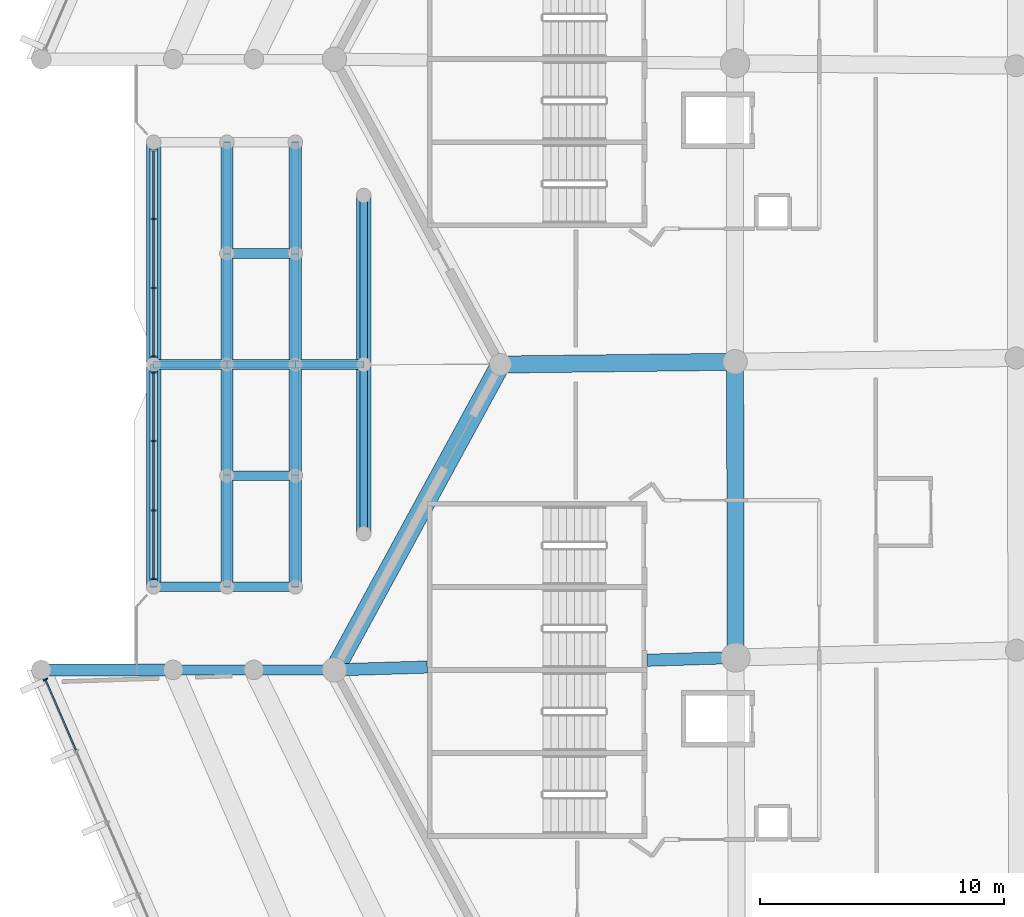
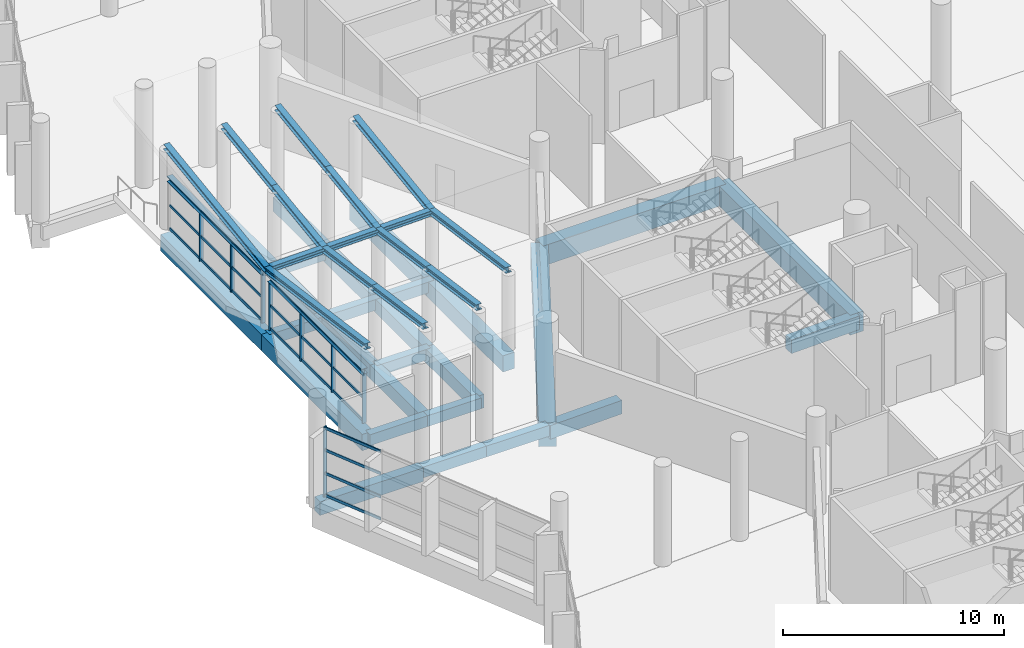
# One storey, part 35 of 271: 44 beams, 30 members, 3 elements without a shape of their own.
"""IFC4 building model written with IfcOpenShell, lengths in metres."""

from ifc_helpers import new_model, si_unit, direction, frame, origin, origin_2d, place, context, subcontext, project, spatial, rectangle, i_section, extrude, material, layer, layer_set, material_profile, profile_set, type_object, element, aggregate, save


model = new_model("IFC4")

# Units and contexts
model_context = context("Model", 3, precision=1e-05, world=origin(), true_north=direction((0.0, 1.0)))
body_context = subcontext(model_context, "Body", "Model", "MODEL_VIEW")
ifc_project = project(units=[si_unit("LENGTHUNIT", "METRE"), si_unit("AREAUNIT", "SQUARE_METRE"), si_unit("VOLUMEUNIT", "CUBIC_METRE"), si_unit("PLANEANGLEUNIT", "RADIAN"), si_unit("MASSUNIT", "GRAM", prefix="KILO")], contexts=[model_context])

# Site, building, storey
site_placement = place(None, origin())
site = spatial("IfcSite", under=ifc_project, at=site_placement, CompositionType="ELEMENT")
building_placement = place(site_placement, origin())
building = spatial("IfcBuilding", under=site, at=building_placement, Name="Meseta Stadium", CompositionType="ELEMENT")
storey_placement = place(building_placement, frame((0.0, 0.0, 6.5)))
storey = spatial("IfcBuildingStorey", under=building, at=storey_placement, Name="L01", CompositionType="ELEMENT", Elevation=6.5)

# Beams
ifc_material_1 = material(Name="Steel S355", Category="steel")
ifc_material_profile_1 = material_profile(ifc_material_1, i_section(OverallWidth=0.300048828125, OverallDepth=0.300048828125, WebThickness=0.010986328125, FlangeThickness=0.01904296875, FilletRadius=0.027099609375, at=origin_2d()), Name="HEB 300")
ifc_profile_set_1 = profile_set([ifc_material_profile_1], Name="Steel S355")
beam_type_1 = type_object("IfcBeamType", Name="Gate roof beam HEB 300", PredefinedType="BEAM", material=ifc_profile_set_1)
for number, where, z_axis, x_axis, name in (
    (1, (-100.199951171875, -6.25, 3.327880859375), (-0.999800721691, 0.0, -0.019962888244), (0.0, -1.0, 0.0), "Gate 5 valley beam"),
    (2, (-103.0, -6.25, 3.27197265625), (-0.999800721691, 0.0, -0.019962888244), (0.0, -1.0, 0.0), "Gate 5 valley beam"),
):
    element("IfcBeam", number, at=place(storey_placement, frame(where, z_axis=z_axis, x_axis=x_axis)), inside=storey, type_object=beam_type_1, Name=name, PredefinedType="BEAM", context=body_context, shape_type="SweptSolid", body=[
        extrude(i_section(OverallWidth=0.300048828125, OverallDepth=0.300048828125, WebThickness=0.010986328125, FlangeThickness=0.01904296875, FilletRadius=0.027099609375, at=origin_2d()), origin(), (0.0, 0.0, 1.0), 2.800537109375),
    ])
beam_1_placement = place(storey_placement, frame((-105.800048828125, -6.25, 3.216064453125), z_axis=(-0.999799669399, 0.0, -0.020015520725), x_axis=(0.0, -1.0, 0.0)))
element("IfcBeam", 3, at=beam_1_placement, inside=storey, type_object=beam_type_1, Name="Gate 5 valley beam", PredefinedType="BEAM", context=body_context, shape_type="SweptSolid", body=[
    extrude(i_section(OverallWidth=0.300048828125, OverallDepth=0.300048828125, WebThickness=0.010986328125, FlangeThickness=0.01904296875, FilletRadius=0.027099609375, at=origin_2d()), origin(), (0.0, 0.0, 1.0), 3.00048828125),
])
for number, where, z_axis, x_axis, name in (
    (4, (-108.800048828125, 2.550048828125, 2.845947265625), (0.0, -1.0, 0.0), (1.0, 0.0, 0.0), "Gate 5 head beam"),
    (5, (-108.800048828125, -6.550048828125, 2.845947265625), (0.0, -1.0, 0.0), (1.0, 0.0, 0.0), "Gate 5 head beam"),
):
    element("IfcBeam", number, at=place(storey_placement, frame(where, z_axis=z_axis, x_axis=x_axis)), inside=storey, type_object=beam_type_1, Name=name, PredefinedType="BEAM", context=body_context, shape_type="SweptSolid", body=[
        extrude(i_section(OverallWidth=0.300048828125, OverallDepth=0.300048828125, WebThickness=0.010986328125, FlangeThickness=0.01904296875, FilletRadius=0.027099609375, at=origin_2d()), origin(), (0.0, 0.0, 1.0), 8.5),
    ])
ifc_material_2 = material(Name="Steel S355", Category="steel")
ifc_material_profile_2 = material_profile(ifc_material_2, i_section(OverallWidth=0.300048828125, OverallDepth=0.300048828125, WebThickness=0.010986328125, FlangeThickness=0.01904296875, FilletRadius=0.027099609375, at=origin_2d()), Name="HEB 300")
ifc_profile_set_2 = profile_set([ifc_material_profile_2], Name="Steel S355")
beam_type_2 = type_object("IfcBeamType", Name="Gate roof beam HEB 300 rafter", PredefinedType="BEAM", material=ifc_profile_set_2)
for number, where, z_axis, x_axis, name in (
    (6, (-100.199951171875, 0.66748046875, 4.29638671875), (0.0, -0.990340594816, -0.138656071844), (1.0, 0.0, 0.0), "Gate 5 roof rafter"),
    (7, (-100.199951171875, -6.25, 3.327880859375), (0.0, -0.990340594816, 0.138656071844), (1.0, 0.0, 0.0), "Gate 5 roof rafter"),
):
    element("IfcBeam", number, at=place(storey_placement, frame(where, z_axis=z_axis, x_axis=x_axis)), inside=storey, type_object=beam_type_2, Name=name, PredefinedType="BEAM", context=body_context, shape_type="SweptSolid", body=[
        extrude(i_section(OverallWidth=0.300048828125, OverallDepth=0.300048828125, WebThickness=0.010986328125, FlangeThickness=0.01904296875, FilletRadius=0.027099609375, at=origin_2d()), origin(), (0.0, 0.0, 1.0), 6.98486328125),
    ])
for number, where, z_axis, x_axis, name in (
    (8, (-103.0, 2.85009765625, 4.5458984375), (0.0, -0.99034305998, -0.138638463459), (1.0, 0.0, 0.0), "Gate 5 roof rafter"),
    (9, (-103.0, -1.699951171875, 3.908935546875), (0.0, -0.99034305998, -0.138638463459), (1.0, 0.0, 0.0), "Gate 5 roof rafter"),
    (10, (-103.0, -6.25, 3.27197265625), (0.0, -0.99034305998, 0.138638463459), (1.0, 0.0, 0.0), "Gate 5 roof rafter"),
    (11, (-103.0, -10.800048828125, 3.908935546875), (0.0, -0.99034305998, 0.138638463459), (1.0, 0.0, 0.0), "Gate 5 roof rafter"),
    (12, (-105.800048828125, 2.85009765625, 4.489990234375), (0.0, -0.99034305998, -0.138638463459), (1.0, 0.0, 0.0), "Gate 5 roof rafter"),
    (13, (-105.800048828125, -1.699951171875, 3.85302734375), (0.0, -0.99034305998, -0.138638463459), (1.0, 0.0, 0.0), "Gate 5 roof rafter"),
    (14, (-105.800048828125, -6.25, 3.216064453125), (0.0, -0.99034305998, 0.138638463459), (1.0, 0.0, 0.0), "Gate 5 roof rafter"),
    (15, (-105.800048828125, -10.800048828125, 3.85302734375), (0.0, -0.99034305998, 0.138638463459), (1.0, 0.0, 0.0), "Gate 5 roof rafter"),
):
    element("IfcBeam", number, at=place(storey_placement, frame(where, z_axis=z_axis, x_axis=x_axis)), inside=storey, type_object=beam_type_2, Name=name, PredefinedType="BEAM", context=body_context, shape_type="SweptSolid", body=[
        extrude(i_section(OverallWidth=0.300048828125, OverallDepth=0.300048828125, WebThickness=0.010986328125, FlangeThickness=0.01904296875, FilletRadius=0.027099609375, at=origin_2d()), origin(), (0.0, 0.0, 1.0), 4.594482421875),
    ])
for number, where, z_axis, x_axis, name in (
    (16, (-108.800048828125, 2.85009765625, 4.429931640625), (0.0, -0.99034305998, -0.138638463459), (1.0, 0.0, 0.0), "Gate 5 roof rafter"),
    (17, (-108.800048828125, -6.25, 3.156005859375), (0.0, -0.99034305998, 0.138638463459), (1.0, 0.0, 0.0), "Gate 5 roof rafter"),
):
    element("IfcBeam", number, at=place(storey_placement, frame(where, z_axis=z_axis, x_axis=x_axis)), inside=storey, type_object=beam_type_2, Name=name, PredefinedType="BEAM", context=body_context, shape_type="SweptSolid", body=[
        extrude(i_section(OverallWidth=0.300048828125, OverallDepth=0.300048828125, WebThickness=0.010986328125, FlangeThickness=0.01904296875, FilletRadius=0.027099609375, at=origin_2d()), origin(), (0.0, 0.0, 1.0), 9.188720703125),
    ])
ifc_material_3 = material(Name="Concrete C40/50", Category="concrete")
ifc_material_profile_3 = material_profile(ifc_material_3, rectangle(XDim=0.39990234375, YDim=0.60009765625, at=origin_2d()), Name="RC 400x600")
ifc_profile_set_3 = profile_set([ifc_material_profile_3], Name="Concrete C40/50")
beam_type_3 = type_object("IfcBeamType", Name="RC beam 400x600", PredefinedType="BEAM", material=ifc_profile_set_3)
for number, where, z_axis, x_axis, name in (
    (18, (-101.39990234375, -18.75, -0.64990234375), (-1.0, 0.0, 0.0), (0.0, -1.0, 0.0), "L01 radial beam frame 34 line R to M"),
    (19, (-104.699951171875, -18.75, -0.64990234375), (-1.0, 0.0, 0.0), (0.0, -1.0, 0.0), "L01 radial beam frame 34 line M to Q"),
):
    element("IfcBeam", number, at=place(storey_placement, frame(where, z_axis=z_axis, x_axis=x_axis)), inside=storey, type_object=beam_type_3, Name=name, PredefinedType="BEAM", context=body_context, shape_type="SweptSolid", body=[
        extrude(rectangle(XDim=0.39990234375, YDim=0.60009765625, at=origin_2d()), origin(), (0.0, 0.0, 1.0), 3.300048828125),
    ])
for number, where, z_axis, x_axis, name in (
    (20, (-100.199951171875, -6.25, -0.64990234375), (-1.0, 0.0, 0.0), (0.0, -1.0, 0.0), "Gate 5 floor beam"),
    (21, (-103.0, -1.699951171875, -0.64990234375), (-1.0, 0.0, 0.0), (0.0, -1.0, 0.0), "Gate 5 floor beam"),
    (22, (-103.0, -6.25, -0.64990234375), (-1.0, 0.0, 0.0), (0.0, -1.0, 0.0), "Gate 5 floor beam"),
    (23, (-103.0, -10.800048828125, -0.64990234375), (-1.0, 0.0, 0.0), (0.0, -1.0, 0.0), "Gate 5 floor beam"),
    (24, (-103.0, -15.35009765625, -0.64990234375), (-1.0, 0.0, 0.0), (0.0, -1.0, 0.0), "Gate 5 floor beam"),
):
    element("IfcBeam", number, at=place(storey_placement, frame(where, z_axis=z_axis, x_axis=x_axis)), inside=storey, type_object=beam_type_3, Name=name, PredefinedType="BEAM", context=body_context, shape_type="SweptSolid", body=[
        extrude(rectangle(XDim=0.39990234375, YDim=0.60009765625, at=origin_2d()), origin(), (0.0, 0.0, 1.0), 2.800048828125),
    ])
for number, where, z_axis, x_axis, name in (
    (25, (-105.800048828125, -6.25, -0.64990234375), (-1.0, 0.0, 0.0), (0.0, -1.0, 0.0), "Gate 5 floor beam"),
    (26, (-105.800048828125, -15.35009765625, -0.64990234375), (-1.0, 0.0, 0.0), (0.0, -1.0, 0.0), "Gate 5 floor beam"),
):
    element("IfcBeam", number, at=place(storey_placement, frame(where, z_axis=z_axis, x_axis=x_axis)), inside=storey, type_object=beam_type_3, Name=name, PredefinedType="BEAM", context=body_context, shape_type="SweptSolid", body=[
        extrude(rectangle(XDim=0.39990234375, YDim=0.60009765625, at=origin_2d()), origin(), (0.0, 0.0, 1.0), 3.0),
    ])
ifc_material_4 = material(Name="Concrete C40/50", Category="concrete")
ifc_material_profile_4 = material_profile(ifc_material_4, rectangle(XDim=0.5, YDim=0.75, at=origin_2d()), Name="RC 500x750")
ifc_profile_set_4 = profile_set([ifc_material_profile_4], Name="Concrete C40/50")
beam_type_4 = type_object("IfcBeamType", Name="RC beam 500x750", PredefinedType="BEAM", material=ifc_profile_set_4)
beam_2_placement = place(storey_placement, frame((-84.978515625, -18.24365234375, -0.72509765625), z_axis=(-0.999525783299, -0.030792994672, 0.0), x_axis=(0.030792994672, -0.999525783299, 0.0)))
element("IfcBeam", 27, at=beam_2_placement, inside=storey, type_object=beam_type_4, Name="L01 radial beam frame 34 line P to R", PredefinedType="BEAM", context=body_context, shape_type="SweptSolid", body=[
    extrude(rectangle(XDim=0.5, YDim=0.75, at=origin_2d()), origin(), (0.0, 0.0, 1.0), 3.623291015625),
])
beam_3_placement = place(storey_placement, frame((-97.60009765625, -18.6328125, -0.72509765625), z_axis=(-0.99952477381, -0.030825744759, 0.0), x_axis=(0.030825744759, -0.99952477381, 0.0)))
element("IfcBeam", 28, at=beam_3_placement, inside=storey, type_object=beam_type_4, Name="L01 radial beam frame 34 line P to R", PredefinedType="BEAM", context=body_context, shape_type="SweptSolid", body=[
    extrude(rectangle(XDim=0.5, YDim=0.75, at=origin_2d()), origin(), (0.0, 0.0, 1.0), 3.801513671875),
])
beam_4_placement = place(storey_placement, frame((-108.0, -18.75, -0.72509765625), z_axis=(-1.0, 0.0, 0.0), x_axis=(0.0, -1.0, 0.0)))
element("IfcBeam", 29, at=beam_4_placement, inside=storey, type_object=beam_type_4, Name="L01 radial beam frame 34 line Q to O", PredefinedType="BEAM", context=body_context, shape_type="SweptSolid", body=[
    extrude(rectangle(XDim=0.5, YDim=0.75, at=origin_2d()), origin(), (0.0, 0.0, 1.0), 5.39990234375),
])
for number, where, z_axis, x_axis, name in (
    (30, (-103.0, 2.85009765625, -0.72509765625), (0.0, -1.0, 0.0), (1.0, 0.0, 0.0), "Gate 5 floor beam"),
    (31, (-103.0, -1.699951171875, -0.72509765625), (0.0, -1.0, 0.0), (1.0, 0.0, 0.0), "Gate 5 floor beam"),
    (32, (-103.0, -6.25, -0.72509765625), (0.0, -1.0, 0.0), (1.0, 0.0, 0.0), "Gate 5 floor beam"),
    (33, (-103.0, -10.800048828125, -0.72509765625), (0.0, -1.0, 0.0), (1.0, 0.0, 0.0), "Gate 5 floor beam"),
    (34, (-105.800048828125, 2.85009765625, -0.72509765625), (0.0, -1.0, 0.0), (1.0, 0.0, 0.0), "Gate 5 floor beam"),
    (35, (-105.800048828125, -1.699951171875, -0.72509765625), (0.0, -1.0, 0.0), (1.0, 0.0, 0.0), "Gate 5 floor beam"),
    (36, (-105.800048828125, -6.25, -0.72509765625), (0.0, -1.0, 0.0), (1.0, 0.0, 0.0), "Gate 5 floor beam"),
    (37, (-105.800048828125, -10.800048828125, -0.72509765625), (0.0, -1.0, 0.0), (1.0, 0.0, 0.0), "Gate 5 floor beam"),
):
    element("IfcBeam", number, at=place(storey_placement, frame(where, z_axis=z_axis, x_axis=x_axis)), inside=storey, type_object=beam_type_4, Name=name, PredefinedType="BEAM", context=body_context, shape_type="SweptSolid", body=[
        extrude(rectangle(XDim=0.5, YDim=0.75, at=origin_2d()), origin(), (0.0, 0.0, 1.0), 4.550048828125),
    ])
ifc_material_5 = material(Name="Concrete C40/50", Category="concrete")
ifc_material_profile_5 = material_profile(ifc_material_5, rectangle(XDim=0.60009765625, YDim=0.89990234375, at=origin_2d()), Name="RC 600x900")
ifc_profile_set_5 = profile_set([ifc_material_profile_5], Name="Concrete C40/50")
beam_type_5 = type_object("IfcBeamType", Name="RC beam 600x900", PredefinedType="BEAM", material=ifc_profile_set_5)
for number, where, z_axis, x_axis, name in (
    (38, (-100.199951171875, 0.66748046875, -0.800048828125), (0.0, -1.0, 0.0), (1.0, 0.0, 0.0), "Gate 5 floor beam"),
    (39, (-100.199951171875, -6.25, -0.800048828125), (0.0, -1.0, 0.0), (1.0, 0.0, 0.0), "Gate 5 floor beam"),
):
    element("IfcBeam", number, at=place(storey_placement, frame(where, z_axis=z_axis, x_axis=x_axis)), inside=storey, type_object=beam_type_5, Name=name, PredefinedType="BEAM", context=body_context, shape_type="SweptSolid", body=[
        extrude(rectangle(XDim=0.60009765625, YDim=0.89990234375, at=origin_2d()), origin(), (0.0, 0.0, 1.0), 6.91748046875),
    ])
for number, where, z_axis, x_axis, name in (
    (40, (-108.800048828125, 2.85009765625, -0.800048828125), (0.0, -1.0, 0.0), (1.0, 0.0, 0.0), "Gate 5 floor beam"),
    (41, (-108.800048828125, -6.25, -0.800048828125), (0.0, -1.0, 0.0), (1.0, 0.0, 0.0), "Gate 5 floor beam"),
):
    element("IfcBeam", number, at=place(storey_placement, frame(where, z_axis=z_axis, x_axis=x_axis)), inside=storey, type_object=beam_type_5, Name=name, PredefinedType="BEAM", context=body_context, shape_type="SweptSolid", body=[
        extrude(rectangle(XDim=0.60009765625, YDim=0.89990234375, at=origin_2d()), origin(), (0.0, 0.0, 1.0), 9.10009765625),
    ])
ifc_material_6 = material(Name="Concrete C40/50", Category="concrete")
ifc_material_profile_6 = material_profile(ifc_material_6, rectangle(XDim=0.699951171875, YDim=1.10009765625, at=origin_2d()), Name="RC 700x1100")
ifc_profile_set_6 = profile_set([ifc_material_profile_6], Name="Concrete C40/50")
beam_type_6 = type_object("IfcBeamType", Name="RC beam 700x1100", PredefinedType="BEAM", material=ifc_profile_set_6)
beam_5_placement = place(storey_placement, frame((-84.9970703125, -6.13720703125, -0.89990234375), z_axis=(0.001532627062, -0.999998825526, 0.0), x_axis=(0.999998825526, 0.001532627062, 0.0)))
element("IfcBeam", 42, at=beam_5_placement, inside=storey, type_object=beam_type_6, Name="L01 ring beam frame 33 line P", PredefinedType="BEAM", context=body_context, shape_type="SweptSolid", body=[
    extrude(rectangle(XDim=0.699951171875, YDim=1.10009765625, at=origin_2d()), origin(), (0.0, 0.0, 1.0), 12.1064453125),
])
beam_6_placement = place(storey_placement, frame((-84.9970703125, -6.13720703125, -0.89990234375), z_axis=(-0.999931028004, -0.01174475352, 0.0), x_axis=(0.01174475352, -0.999931028004, 0.0)))
element("IfcBeam", 43, at=beam_6_placement, inside=storey, type_object=beam_type_6, Name="L01 radial beam frame 33 line P to R", PredefinedType="BEAM", context=body_context, shape_type="SweptSolid", body=[
    extrude(rectangle(XDim=0.699951171875, YDim=1.10009765625, at=origin_2d()), origin(), (0.0, 0.0, 1.0), 9.603759765625),
])
ifc_material_7 = material(Name="Concrete C40/50", Category="concrete")
ifc_material_profile_7 = material_profile(ifc_material_7, rectangle(XDim=0.800048828125, YDim=1.300048828125, at=origin_2d()), Name="RC 800x1300")
ifc_profile_set_7 = profile_set([ifc_material_profile_7], Name="Concrete C40/50")
beam_type_7 = type_object("IfcBeamType", Name="RC beam 800x1300", PredefinedType="BEAM", material=ifc_profile_set_7)
beam_7_placement = place(storey_placement, frame((-94.60009765625, -6.25, -1.0), z_axis=(-0.47785649891, -0.878437912689, 0.0), x_axis=(0.878437912689, -0.47785649891, 0.0)))
element("IfcBeam", 44, at=beam_7_placement, inside=storey, type_object=beam_type_7, Name="L01 ring beam frame 33 line R", PredefinedType="BEAM", context=body_context, shape_type="SweptSolid", body=[
    extrude(rectangle(XDim=0.800048828125, YDim=1.300048828125, at=origin_2d()), origin(), (0.0, 0.0, 1.0), 14.229736328125),
])

# Curtain wall, member
ifc_material_8 = material(Name="Aluminium", Category="aluminium")
ifc_layer_1 = layer(ifc_material_8, 0.199951171875)
ifc_layer_set_1 = layer_set([ifc_layer_1], Name="Ring shopfront curtain wall")
curtain_wall_type_1 = type_object("IfcCurtainWallType", Name="Ring shopfront curtain wall", PredefinedType="NOTDEFINED", material=ifc_layer_set_1)
curtain_wall_1_placement = place(storey_placement, origin())
curtain_wall_1 = element("IfcCurtainWall", 45, at=curtain_wall_1_placement, inside=storey, type_object=curtain_wall_type_1, Name="Ring glazing L01 F34", PredefinedType="NOTDEFINED")
ifc_material_9 = material(Name="Aluminium", Category="aluminium")
ifc_material_profile_8 = material_profile(ifc_material_9, rectangle(XDim=0.199951171875, YDim=0.06005859375, at=origin_2d()), Name="CW 200x60")
ifc_profile_set_8 = profile_set([ifc_material_profile_8], Name="Aluminium")
member_type_1 = type_object("IfcMemberType", Name="Ring CW mullion 60x200", PredefinedType="MULLION", material=ifc_profile_set_8)
member_1_placement = place(storey_placement, frame((-113.2294921875, -19.144775390625, 0.0), z_axis=(0.0, 0.0, 1.0), x_axis=(0.91799986854, 0.396580687073, 0.0)))
member_1 = element("IfcMember", 46, at=member_1_placement, type_object=member_type_1, Name="CWR1 mullion 1", PredefinedType="MULLION", context=body_context, shape_type="SweptSolid", body=[
    extrude(rectangle(XDim=0.199951171875, YDim=0.06005859375, at=origin_2d()), origin(), (0.0, 0.0, 1.0), 3.85009765625),
])

# Curtain wall, members
ifc_material_10 = material(Name="Aluminium", Category="aluminium")
ifc_layer_2 = layer(ifc_material_10, 0.199951171875)
ifc_layer_set_2 = layer_set([ifc_layer_2], Name="Gate hall curtain wall")
curtain_wall_type_2 = type_object("IfcCurtainWallType", Name="Gate hall curtain wall", PredefinedType="NOTDEFINED", material=ifc_layer_set_2)
curtain_wall_2_placement = place(storey_placement, origin())
curtain_wall_2 = element("IfcCurtainWall", 47, at=curtain_wall_2_placement, inside=storey, type_object=curtain_wall_type_2, Name="Gate 5 hall glazing", PredefinedType="NOTDEFINED")
member_2_placement = place(storey_placement, frame((-108.800048828125, -5.919921875, 0.0), z_axis=(0.0, 0.0, 1.0), x_axis=(-1.0, 0.0, 0.0)))
member_2 = element("IfcMember", 48, at=member_2_placement, type_object=member_type_1, Name="CWG1 mullion 1", PredefinedType="MULLION", context=body_context, shape_type="SweptSolid", body=[
    extrude(rectangle(XDim=0.199951171875, YDim=0.06005859375, at=origin_2d()), origin(), (0.0, 0.0, 1.0), 2.696044921875),
])
member_3_placement = place(storey_placement, frame((-108.800048828125, -3.11669921875, 0.0), z_axis=(0.0, 0.0, 1.0), x_axis=(-1.0, 0.0, 0.0)))
member_3 = element("IfcMember", 49, at=member_3_placement, type_object=member_type_1, Name="CWG1 mullion 2", PredefinedType="MULLION", context=body_context, shape_type="SweptSolid", body=[
    extrude(rectangle(XDim=0.199951171875, YDim=0.06005859375, at=origin_2d()), origin(), (0.0, 0.0, 1.0), 2.696044921875),
])
member_4_placement = place(storey_placement, frame((-108.800048828125, -0.283447265625, 0.0), z_axis=(0.0, 0.0, 1.0), x_axis=(-1.0, 0.0, 0.0)))
member_4 = element("IfcMember", 50, at=member_4_placement, type_object=member_type_1, Name="CWG1 mullion 3", PredefinedType="MULLION", context=body_context, shape_type="SweptSolid", body=[
    extrude(rectangle(XDim=0.199951171875, YDim=0.06005859375, at=origin_2d()), origin(), (0.0, 0.0, 1.0), 2.696044921875),
])

curtain_wall_3_placement = place(storey_placement, origin())
curtain_wall_3 = element("IfcCurtainWall", 51, at=curtain_wall_3_placement, inside=storey, type_object=curtain_wall_type_2, Name="Gate 5 hall glazing", PredefinedType="NOTDEFINED")
member_5_placement = place(storey_placement, frame((-108.800048828125, -15.02001953125, 0.0), z_axis=(0.0, 0.0, 1.0), x_axis=(-1.0, 0.0, 0.0)))
member_5 = element("IfcMember", 52, at=member_5_placement, type_object=member_type_1, Name="CWG1 mullion 1", PredefinedType="MULLION", context=body_context, shape_type="SweptSolid", body=[
    extrude(rectangle(XDim=0.199951171875, YDim=0.06005859375, at=origin_2d()), origin(), (0.0, 0.0, 1.0), 2.696044921875),
])
member_6_placement = place(storey_placement, frame((-108.800048828125, -12.216552734375, 0.0), z_axis=(0.0, 0.0, 1.0), x_axis=(-1.0, 0.0, 0.0)))
member_6 = element("IfcMember", 53, at=member_6_placement, type_object=member_type_1, Name="CWG1 mullion 2", PredefinedType="MULLION", context=body_context, shape_type="SweptSolid", body=[
    extrude(rectangle(XDim=0.199951171875, YDim=0.06005859375, at=origin_2d()), origin(), (0.0, 0.0, 1.0), 2.696044921875),
])
member_7_placement = place(storey_placement, frame((-108.800048828125, -9.38330078125, 0.0), z_axis=(0.0, 0.0, 1.0), x_axis=(-1.0, 0.0, 0.0)))
member_7 = element("IfcMember", 54, at=member_7_placement, type_object=member_type_1, Name="CWG1 mullion 3", PredefinedType="MULLION", context=body_context, shape_type="SweptSolid", body=[
    extrude(rectangle(XDim=0.199951171875, YDim=0.06005859375, at=origin_2d()), origin(), (0.0, 0.0, 1.0), 2.696044921875),
])
member_8_placement = place(storey_placement, frame((-108.800048828125, -6.580078125, 0.0), z_axis=(0.0, 0.0, 1.0), x_axis=(-1.0, 0.0, 0.0)))
member_8 = element("IfcMember", 55, at=member_8_placement, type_object=member_type_1, Name="CWG1 mullion 4", PredefinedType="MULLION", context=body_context, shape_type="SweptSolid", body=[
    extrude(rectangle(XDim=0.199951171875, YDim=0.06005859375, at=origin_2d()), origin(), (0.0, 0.0, 1.0), 2.696044921875),
])

# Member
ifc_material_11 = material(Name="Aluminium", Category="aluminium")
ifc_material_profile_9 = material_profile(ifc_material_11, rectangle(XDim=0.06005859375, YDim=0.14990234375, at=origin_2d()), Name="CW 60x150")
ifc_profile_set_9 = profile_set([ifc_material_profile_9], Name="Aluminium")
member_type_2 = type_object("IfcMemberType", Name="Ring CW transom 60x150", PredefinedType="USERDEFINED", material=ifc_profile_set_9)
member_9_placement = place(storey_placement, frame((-113.217529296875, -19.17236328125, 0.074951171875), z_axis=(0.396557660608, -0.91800981575, 0.0), x_axis=(0.91800981575, 0.396557660608, 0.0)))
member_9 = element("IfcMember", 56, at=member_9_placement, type_object=member_type_2, Name="CWR1 transom 1.1", ObjectType="TRANSOM", PredefinedType="USERDEFINED", context=body_context, shape_type="SweptSolid", body=[
    extrude(rectangle(XDim=0.06005859375, YDim=0.14990234375, at=origin_2d()), origin(), (0.0, 0.0, 1.0), 3.114013671875),
])

member_10_placement = place(storey_placement, frame((-113.217529296875, -19.17236328125, 1.283447265625), z_axis=(0.396557660608, -0.91800981575, 0.0), x_axis=(0.91800981575, 0.396557660608, 0.0)))
member_10 = element("IfcMember", 57, at=member_10_placement, type_object=member_type_2, Name="CWR1 transom 1.2", ObjectType="TRANSOM", PredefinedType="USERDEFINED", context=body_context, shape_type="SweptSolid", body=[
    extrude(rectangle(XDim=0.06005859375, YDim=0.14990234375, at=origin_2d()), origin(), (0.0, 0.0, 1.0), 3.114013671875),
])

member_11_placement = place(storey_placement, frame((-113.217529296875, -19.17236328125, 2.566650390625), z_axis=(0.396557660608, -0.91800981575, 0.0), x_axis=(0.91800981575, 0.396557660608, 0.0)))
member_11 = element("IfcMember", 58, at=member_11_placement, type_object=member_type_2, Name="CWR1 transom 1.3", ObjectType="TRANSOM", PredefinedType="USERDEFINED", context=body_context, shape_type="SweptSolid", body=[
    extrude(rectangle(XDim=0.06005859375, YDim=0.14990234375, at=origin_2d()), origin(), (0.0, 0.0, 1.0), 3.114013671875),
])

member_12_placement = place(storey_placement, frame((-113.217529296875, -19.17236328125, 3.77490234375), z_axis=(0.396557660608, -0.91800981575, 0.0), x_axis=(0.91800981575, 0.396557660608, 0.0)))
member_12 = element("IfcMember", 59, at=member_12_placement, type_object=member_type_2, Name="CWR1 transom 1.4", ObjectType="TRANSOM", PredefinedType="USERDEFINED", context=body_context, shape_type="SweptSolid", body=[
    extrude(rectangle(XDim=0.06005859375, YDim=0.14990234375, at=origin_2d()), origin(), (0.0, 0.0, 1.0), 3.114013671875),
])

aggregate(curtain_wall_1, [member_1, member_9, member_10, member_11, member_12])

member_13_placement = place(storey_placement, frame((-108.800048828125, -5.889892578125, 0.074951171875), z_axis=(0.0, 1.0, 0.0), x_axis=(-1.0, 0.0, 0.0)))
member_13 = element("IfcMember", 60, at=member_13_placement, type_object=member_type_2, Name="CWG1 transom 1.1", ObjectType="TRANSOM", PredefinedType="USERDEFINED", context=body_context, shape_type="SweptSolid", body=[
    extrude(rectangle(XDim=0.06005859375, YDim=0.14990234375, at=origin_2d()), origin(), (0.0, 0.0, 1.0), 2.7431640625),
])

member_14_placement = place(storey_placement, frame((-108.800048828125, -5.889892578125, 1.347900390625), z_axis=(0.0, 1.0, 0.0), x_axis=(-1.0, 0.0, 0.0)))
member_14 = element("IfcMember", 61, at=member_14_placement, type_object=member_type_2, Name="CWG1 transom 1.2", ObjectType="TRANSOM", PredefinedType="USERDEFINED", context=body_context, shape_type="SweptSolid", body=[
    extrude(rectangle(XDim=0.06005859375, YDim=0.14990234375, at=origin_2d()), origin(), (0.0, 0.0, 1.0), 2.7431640625),
])

member_15_placement = place(storey_placement, frame((-108.800048828125, -5.889892578125, 2.62109375), z_axis=(0.0, 1.0, 0.0), x_axis=(-1.0, 0.0, 0.0)))
member_15 = element("IfcMember", 62, at=member_15_placement, type_object=member_type_2, Name="CWG1 transom 1.3", ObjectType="TRANSOM", PredefinedType="USERDEFINED", context=body_context, shape_type="SweptSolid", body=[
    extrude(rectangle(XDim=0.06005859375, YDim=0.14990234375, at=origin_2d()), origin(), (0.0, 0.0, 1.0), 2.7431640625),
])

member_16_placement = place(storey_placement, frame((-108.800048828125, -3.086669921875, 0.074951171875), z_axis=(0.0, 1.0, 0.0), x_axis=(-1.0, 0.0, 0.0)))
member_16 = element("IfcMember", 63, at=member_16_placement, type_object=member_type_2, Name="CWG1 transom 2.1", ObjectType="TRANSOM", PredefinedType="USERDEFINED", context=body_context, shape_type="SweptSolid", body=[
    extrude(rectangle(XDim=0.06005859375, YDim=0.14990234375, at=origin_2d()), origin(), (0.0, 0.0, 1.0), 2.7734375),
])

member_17_placement = place(storey_placement, frame((-108.800048828125, -3.086669921875, 1.347900390625), z_axis=(0.0, 1.0, 0.0), x_axis=(-1.0, 0.0, 0.0)))
member_17 = element("IfcMember", 64, at=member_17_placement, type_object=member_type_2, Name="CWG1 transom 2.2", ObjectType="TRANSOM", PredefinedType="USERDEFINED", context=body_context, shape_type="SweptSolid", body=[
    extrude(rectangle(XDim=0.06005859375, YDim=0.14990234375, at=origin_2d()), origin(), (0.0, 0.0, 1.0), 2.7734375),
])

member_18_placement = place(storey_placement, frame((-108.800048828125, -3.086669921875, 2.62109375), z_axis=(0.0, 1.0, 0.0), x_axis=(-1.0, 0.0, 0.0)))
member_18 = element("IfcMember", 65, at=member_18_placement, type_object=member_type_2, Name="CWG1 transom 2.3", ObjectType="TRANSOM", PredefinedType="USERDEFINED", context=body_context, shape_type="SweptSolid", body=[
    extrude(rectangle(XDim=0.06005859375, YDim=0.14990234375, at=origin_2d()), origin(), (0.0, 0.0, 1.0), 2.7734375),
])

member_19_placement = place(storey_placement, frame((-108.800048828125, -0.25341796875, 0.074951171875), z_axis=(0.0, 1.0, 0.0), x_axis=(-1.0, 0.0, 0.0)))
member_19 = element("IfcMember", 66, at=member_19_placement, type_object=member_type_2, Name="CWG1 transom 3.1", ObjectType="TRANSOM", PredefinedType="USERDEFINED", context=body_context, shape_type="SweptSolid", body=[
    extrude(rectangle(XDim=0.06005859375, YDim=0.14990234375, at=origin_2d()), origin(), (0.0, 0.0, 1.0), 2.743408203125),
])

member_20_placement = place(storey_placement, frame((-108.800048828125, -0.25341796875, 1.347900390625), z_axis=(0.0, 1.0, 0.0), x_axis=(-1.0, 0.0, 0.0)))
member_20 = element("IfcMember", 67, at=member_20_placement, type_object=member_type_2, Name="CWG1 transom 3.2", ObjectType="TRANSOM", PredefinedType="USERDEFINED", context=body_context, shape_type="SweptSolid", body=[
    extrude(rectangle(XDim=0.06005859375, YDim=0.14990234375, at=origin_2d()), origin(), (0.0, 0.0, 1.0), 2.743408203125),
])

member_21_placement = place(storey_placement, frame((-108.800048828125, -0.25341796875, 2.62109375), z_axis=(0.0, 1.0, 0.0), x_axis=(-1.0, 0.0, 0.0)))
member_21 = element("IfcMember", 68, at=member_21_placement, type_object=member_type_2, Name="CWG1 transom 3.3", ObjectType="TRANSOM", PredefinedType="USERDEFINED", context=body_context, shape_type="SweptSolid", body=[
    extrude(rectangle(XDim=0.06005859375, YDim=0.14990234375, at=origin_2d()), origin(), (0.0, 0.0, 1.0), 2.743408203125),
])

aggregate(curtain_wall_2, [member_2, member_3, member_4, member_13, member_14, member_15, member_16, member_17, member_18, member_19, member_20, member_21])

member_22_placement = place(storey_placement, frame((-108.800048828125, -14.989990234375, 0.074951171875), z_axis=(0.0, 1.0, 0.0), x_axis=(-1.0, 0.0, 0.0)))
member_22 = element("IfcMember", 69, at=member_22_placement, type_object=member_type_2, Name="CWG1 transom 1.1", ObjectType="TRANSOM", PredefinedType="USERDEFINED", context=body_context, shape_type="SweptSolid", body=[
    extrude(rectangle(XDim=0.06005859375, YDim=0.14990234375, at=origin_2d()), origin(), (0.0, 0.0, 1.0), 2.743408203125),
])

member_23_placement = place(storey_placement, frame((-108.800048828125, -14.989990234375, 1.347900390625), z_axis=(0.0, 1.0, 0.0), x_axis=(-1.0, 0.0, 0.0)))
member_23 = element("IfcMember", 70, at=member_23_placement, type_object=member_type_2, Name="CWG1 transom 1.2", ObjectType="TRANSOM", PredefinedType="USERDEFINED", context=body_context, shape_type="SweptSolid", body=[
    extrude(rectangle(XDim=0.06005859375, YDim=0.14990234375, at=origin_2d()), origin(), (0.0, 0.0, 1.0), 2.743408203125),
])

member_24_placement = place(storey_placement, frame((-108.800048828125, -14.989990234375, 2.62109375), z_axis=(0.0, 1.0, 0.0), x_axis=(-1.0, 0.0, 0.0)))
member_24 = element("IfcMember", 71, at=member_24_placement, type_object=member_type_2, Name="CWG1 transom 1.3", ObjectType="TRANSOM", PredefinedType="USERDEFINED", context=body_context, shape_type="SweptSolid", body=[
    extrude(rectangle(XDim=0.06005859375, YDim=0.14990234375, at=origin_2d()), origin(), (0.0, 0.0, 1.0), 2.743408203125),
])

member_25_placement = place(storey_placement, frame((-108.800048828125, -12.186767578125, 0.074951171875), z_axis=(0.0, 1.0, 0.0), x_axis=(-1.0, 0.0, 0.0)))
member_25 = element("IfcMember", 72, at=member_25_placement, type_object=member_type_2, Name="CWG1 transom 2.1", ObjectType="TRANSOM", PredefinedType="USERDEFINED", context=body_context, shape_type="SweptSolid", body=[
    extrude(rectangle(XDim=0.06005859375, YDim=0.14990234375, at=origin_2d()), origin(), (0.0, 0.0, 1.0), 2.7734375),
])

member_26_placement = place(storey_placement, frame((-108.800048828125, -12.186767578125, 1.347900390625), z_axis=(0.0, 1.0, 0.0), x_axis=(-1.0, 0.0, 0.0)))
member_26 = element("IfcMember", 73, at=member_26_placement, type_object=member_type_2, Name="CWG1 transom 2.2", ObjectType="TRANSOM", PredefinedType="USERDEFINED", context=body_context, shape_type="SweptSolid", body=[
    extrude(rectangle(XDim=0.06005859375, YDim=0.14990234375, at=origin_2d()), origin(), (0.0, 0.0, 1.0), 2.7734375),
])

member_27_placement = place(storey_placement, frame((-108.800048828125, -12.186767578125, 2.62109375), z_axis=(0.0, 1.0, 0.0), x_axis=(-1.0, 0.0, 0.0)))
member_27 = element("IfcMember", 74, at=member_27_placement, type_object=member_type_2, Name="CWG1 transom 2.3", ObjectType="TRANSOM", PredefinedType="USERDEFINED", context=body_context, shape_type="SweptSolid", body=[
    extrude(rectangle(XDim=0.06005859375, YDim=0.14990234375, at=origin_2d()), origin(), (0.0, 0.0, 1.0), 2.7734375),
])

member_28_placement = place(storey_placement, frame((-108.800048828125, -9.353271484375, 0.074951171875), z_axis=(0.0, 1.0, 0.0), x_axis=(-1.0, 0.0, 0.0)))
member_28 = element("IfcMember", 75, at=member_28_placement, type_object=member_type_2, Name="CWG1 transom 3.1", ObjectType="TRANSOM", PredefinedType="USERDEFINED", context=body_context, shape_type="SweptSolid", body=[
    extrude(rectangle(XDim=0.06005859375, YDim=0.14990234375, at=origin_2d()), origin(), (0.0, 0.0, 1.0), 2.7431640625),
])

member_29_placement = place(storey_placement, frame((-108.800048828125, -9.353271484375, 1.347900390625), z_axis=(0.0, 1.0, 0.0), x_axis=(-1.0, 0.0, 0.0)))
member_29 = element("IfcMember", 76, at=member_29_placement, type_object=member_type_2, Name="CWG1 transom 3.2", ObjectType="TRANSOM", PredefinedType="USERDEFINED", context=body_context, shape_type="SweptSolid", body=[
    extrude(rectangle(XDim=0.06005859375, YDim=0.14990234375, at=origin_2d()), origin(), (0.0, 0.0, 1.0), 2.7431640625),
])

member_30_placement = place(storey_placement, frame((-108.800048828125, -9.353271484375, 2.62109375), z_axis=(0.0, 1.0, 0.0), x_axis=(-1.0, 0.0, 0.0)))
member_30 = element("IfcMember", 77, at=member_30_placement, type_object=member_type_2, Name="CWG1 transom 3.3", ObjectType="TRANSOM", PredefinedType="USERDEFINED", context=body_context, shape_type="SweptSolid", body=[
    extrude(rectangle(XDim=0.06005859375, YDim=0.14990234375, at=origin_2d()), origin(), (0.0, 0.0, 1.0), 2.7431640625),
])

aggregate(curtain_wall_3, [member_5, member_6, member_7, member_8, member_22, member_23, member_24, member_25, member_26, member_27, member_28, member_29, member_30])

save(model, "model.ifc")
